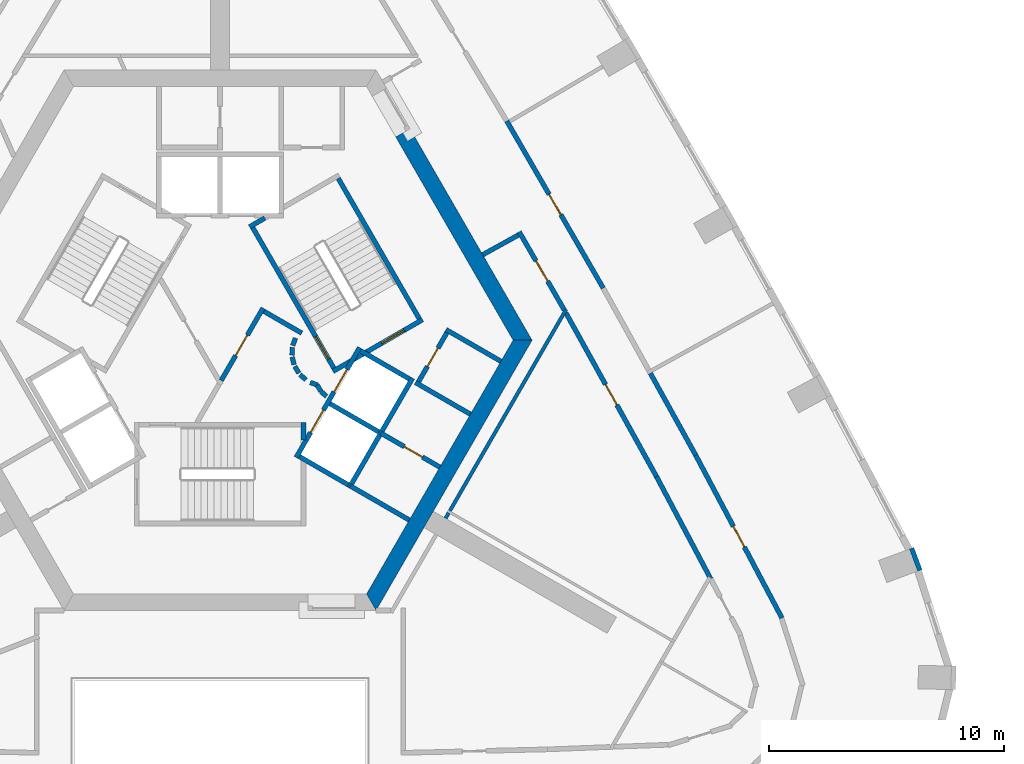
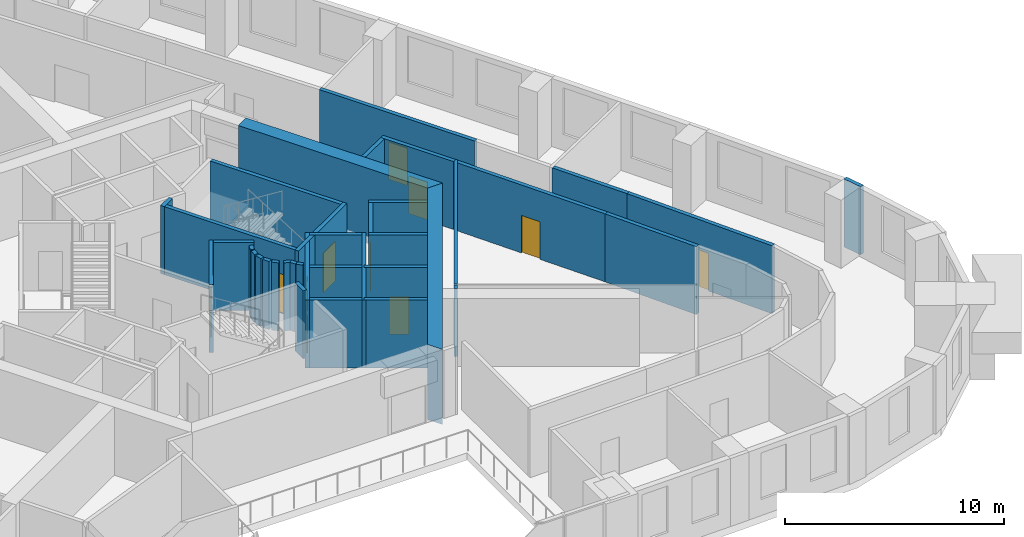
# One storey, part 7 of 13: 37 walls, 11 doors, 11 openings.
"""IFC4 building model written with IfcOpenShell, lengths in metres."""

from ifc_helpers import new_model, si_unit, direction, frame, frame_2d, origin, place, context, subcontext, project, spatial, polyline, rectangle, outline, extrude, material, layer, layer_set, type_object, element, fill, save


model = new_model("IFC4")

# Units and contexts
model_context = context("Model", 3, precision=1e-05, world=origin(), true_north=direction((0.0, 1.0)))
body_context = subcontext(model_context, "Body", "Model", "MODEL_VIEW")
ifc_project = project(units=[si_unit("LENGTHUNIT", "METRE"), si_unit("AREAUNIT", "SQUARE_METRE"), si_unit("VOLUMEUNIT", "CUBIC_METRE"), si_unit("PLANEANGLEUNIT", "RADIAN"), si_unit("MASSUNIT", "GRAM", prefix="KILO")], contexts=[model_context])

# Site, building, storey
site_placement = place(None, origin())
site = spatial("IfcSite", under=ifc_project, at=site_placement, CompositionType="ELEMENT")
building_placement = place(site_placement, origin())
building = spatial("IfcBuilding", under=site, at=building_placement, Name="Entoto Arch Interchange Tower", CompositionType="ELEMENT")
storey_placement = place(building_placement, frame((0.0, 0.0, 223.39990234375)))
storey = spatial("IfcBuildingStorey", under=building, at=storey_placement, Name="L50", CompositionType="ELEMENT", Elevation=223.39990234375)

# Walls
ifc_material_1 = material(Name="Concrete C50/60", Category="concrete")
ifc_layer_1 = layer(ifc_material_1, 0.699951171875)
ifc_layer_set_1 = layer_set([ifc_layer_1], Name="Concrete C50/60")
wall_type_1 = type_object("IfcWallType", Name="Core wall 700 C50/60", PredefinedType="SHEAR", material=ifc_layer_set_1)
wall_1_placement = place(storey_placement, frame((0.0, 0.0, -0.39990234375)))
element("IfcWall", 1, at=wall_1_placement, inside=storey, type_object=wall_type_1, Name="Core wall NE L50", PredefinedType="SHEAR", context=body_context, shape_type="SweptSolid", body=[
    extrude(outline(polyline([(8.083984375, 11.498046875), (7.47802734375, 11.14794921875), (12.470947265625, 2.5), (13.279052734375, 2.5), (8.083984375, 11.498046875)])), origin(), (0.0, 0.0, 1.0), 4.199951171875),
])
wall_2_placement = place(storey_placement, frame((0.0, 0.0, -0.39990234375)))
element("IfcWall", 2, at=wall_2_placement, inside=storey, type_object=wall_type_1, Name="Core wall SE L50", PredefinedType="SHEAR", context=body_context, shape_type="SweptSolid", body=[
    extrude(outline(polyline([(6.639892578125, -9.0), (13.279052734375, 2.5), (12.470947265625, 2.5), (6.235107421875, -8.300048828125), (6.639892578125, -9.0)])), origin(), (0.0, 0.0, 1.0), 4.199951171875),
])

# Wall, openings, doors
ifc_material_2 = material(Name="Concrete C40/50", Category="concrete")
ifc_layer_2 = layer(ifc_material_2, 0.199951171875)
ifc_layer_set_2 = layer_set([ifc_layer_2], Name="Concrete C40/50")
wall_type_2 = type_object("IfcWallType", Name="LIFT SHAFT WALL 200", PredefinedType="STANDARD", material=ifc_layer_set_2)
wall_3_placement = place(storey_placement, frame((3.239990234375, -2.488037109375, 0.0), z_axis=(0.0, 0.0, 1.0), x_axis=(0.500034260056, 0.866005622828, 0.0)))
wall_3 = element("IfcWall", 3, at=wall_3_placement, inside=storey, type_object=wall_type_2, Name="Shaft wall SE1 front", PredefinedType="STANDARD", context=body_context, shape_type="SweptSolid", body=[
    extrude(rectangle(XDim=5.3994140625, YDim=0.199951171875, at=frame_2d((2.69970703125, 0.0))), origin(), (0.0, 0.0, 1.0), 3.800048828125),
])
opening_1_placement = place(wall_3_placement, frame((3.22509765625, 0.0, 0.0)))
opening_1 = element("IfcOpeningElement", 4, at=opening_1_placement, cuts=wall_3, Name="Opening LD-HR3-L50", PredefinedType="OPENING", context=body_context, shape_type="SweptSolid", body=[
    extrude(rectangle(XDim=1.10009765625, YDim=2.10009765625, at=frame_2d((0.550048828125, 1.050048828125))), frame((0.0, 0.10986328125, 0.0), z_axis=(0.0, -1.0, 0.0), x_axis=(1.0, 0.0, 0.0)), (0.0, 0.0, 1.0), 0.219970703125),
])
opening_2_placement = place(wall_3_placement, frame((1.22509765625, 0.0, 0.0)))
opening_2 = element("IfcOpeningElement", 5, at=opening_2_placement, cuts=wall_3, Name="Opening LD-FF1-L50", PredefinedType="OPENING", context=body_context, shape_type="SweptSolid", body=[
    extrude(rectangle(XDim=1.10009765625, YDim=2.10009765625, at=frame_2d((0.550048828125, 1.050048828125))), frame((0.0, 0.10986328125, 0.0), z_axis=(0.0, -1.0, 0.0), x_axis=(1.0, 0.0, 0.0)), (0.0, 0.0, 1.0), 0.219970703125),
])
ifc_material_3 = material(Name="Stainless steel 1.4301 panels", Category="steel")
door_type_1 = type_object("IfcDoorType", Name="LIFT LANDING DOOR LD1 1100x2100", OperationType="SLIDING_TO_LEFT", PredefinedType="DOOR", material=ifc_material_3)
door_1_placement = place(opening_1_placement, origin())
door_1 = element("IfcDoor", 6, at=door_1_placement, inside=storey, type_object=door_type_1, Name="Lift landing door HR3 L50", OperationType="SLIDING_TO_LEFT", OverallHeight=2.10009765625, OverallWidth=1.10009765625, PredefinedType="DOOR", context=body_context, shape_type="SweptSolid", body=[
    extrude(rectangle(XDim=1.10009765625, YDim=2.10009765625, at=frame_2d((0.550048828125, 1.050048828125))), frame((0.0, 0.02490234375, 0.0), z_axis=(0.0, -1.0, 0.0), x_axis=(1.0, 0.0, 0.0)), (0.0, 0.0, 1.0), 0.050048828125),
])
fill(opening_1, door_1)
door_2_placement = place(opening_2_placement, origin())
door_2 = element("IfcDoor", 7, at=door_2_placement, inside=storey, type_object=door_type_1, Name="Lift landing door FF1 L50", OperationType="SLIDING_TO_LEFT", OverallHeight=2.10009765625, OverallWidth=1.10009765625, PredefinedType="DOOR", context=body_context, shape_type="SweptSolid", body=[
    extrude(rectangle(XDim=1.10009765625, YDim=2.10009765625, at=frame_2d((0.550048828125, 1.050048828125))), frame((0.0, 0.02490234375, 0.0), z_axis=(0.0, -1.0, 0.0), x_axis=(1.0, 0.0, 0.0)), (0.0, 0.0, 1.0), 0.050048828125),
])
fill(opening_2, door_2)

# Walls
wall_4_placement = place(storey_placement, frame((5.491943359375, -3.7880859375, 0.0), z_axis=(0.0, 0.0, 1.0), x_axis=(0.500034260056, 0.866005622828, 0.0)))
element("IfcWall", 8, at=wall_4_placement, inside=storey, type_object=wall_type_2, Name="Shaft wall SE1 back", PredefinedType="STANDARD", context=body_context, shape_type="SweptSolid", body=[
    extrude(rectangle(XDim=5.3994140625, YDim=0.199951171875, at=frame_2d((2.69970703125, 0.0))), origin(), (0.0, 0.0, 1.0), 3.800048828125),
])
wall_5_placement = place(storey_placement, frame((3.376953125, -2.451904296875, 0.0), z_axis=(0.0, 0.0, 1.0), x_axis=(0.865955154139, -0.50012165622, 0.0)))
element("IfcWall", 9, at=wall_5_placement, inside=storey, type_object=wall_type_2, Name="Shaft wall SE1 cross 1", PredefinedType="STANDARD", context=body_context, shape_type="SweptSolid", body=[
    extrude(rectangle(XDim=2.39990234375, YDim=0.199951171875, at=frame_2d((1.199951171875, 0.0))), origin(), (0.0, 0.0, 1.0), 3.800048828125),
])
for number, where, z_axis, x_axis, name in (
    (10, (4.677001953125, -0.199951171875, 0.0), (0.0, 0.0, 1.0), (0.865973769406, -0.500089422704, 0.0), "Shaft wall SE1 cross 2"),
    (11, (5.97705078125, 2.052001953125, 0.0), (0.0, 0.0, 1.0), (0.865973769406, -0.500089422704, 0.0), "Shaft wall SE1 cross 3"),
):
    element("IfcWall", number, at=place(storey_placement, frame(where, z_axis=z_axis, x_axis=x_axis)), inside=storey, type_object=wall_type_2, Name=name, PredefinedType="STANDARD", context=body_context, shape_type="SweptSolid", body=[
        extrude(rectangle(XDim=2.3994140625, YDim=0.199951171875, at=frame_2d((1.19970703125, 0.0))), origin(), (0.0, 0.0, 1.0), 3.800048828125),
    ])
ifc_material_4 = material(Name="Gypsum board partition on steel studs", Category="steel")
ifc_layer_3 = layer(ifc_material_4, 0.14990234375)
ifc_layer_set_3 = layer_set([ifc_layer_3], Name="Gypsum board partition on steel studs")
wall_type_3 = type_object("IfcWallType", Name="PARTITION 150", PredefinedType="PARTITIONING", material=ifc_layer_set_3)
wall_6_placement = place(storey_placement, frame((9.779052734375, -4.761962890625, 0.0), z_axis=(0.0, 0.0, 1.0), x_axis=(0.499990552429, 0.866030858274, 0.0)))
element("IfcWall", 12, at=wall_6_placement, inside=storey, type_object=wall_type_3, Name="wall:L50:p088", PredefinedType="PARTITIONING", context=body_context, shape_type="SweptSolid", body=[
    extrude(rectangle(XDim=9.906005859375, YDim=0.14990234375, at=frame_2d((4.953125, 0.0))), origin(), (0.0, 0.0, 1.0), 3.800048828125),
])
wall_7_placement = place(storey_placement, frame((9.595947265625, -5.0791015625, 0.0), z_axis=(0.0, 0.0, 1.0), x_axis=(0.500782702656, 0.865573038351, 0.0)))
element("IfcWall", 13, at=wall_7_placement, inside=storey, type_object=wall_type_3, Name="wall:L50:p087", PredefinedType="PARTITIONING", context=body_context, shape_type="SweptSolid", body=[
    extrude(rectangle(XDim=0.265625, YDim=0.14990234375, at=frame_2d((0.1328125, 0.0))), origin(), (0.0, 0.0, 1.0), 3.800048828125),
])

# Wall, opening, door
ifc_layer_4 = layer(ifc_material_4, 0.199951171875)
ifc_layer_set_4 = layer_set([ifc_layer_4], Name="Gypsum board partition on steel studs")
wall_type_4 = type_object("IfcWallType", Name="PARTITION 200", PredefinedType="PARTITIONING", material=ifc_layer_set_4)
wall_8_placement = place(storey_placement, frame((14.652099609375, 3.782958984375, 0.0), z_axis=(0.0, 0.0, 1.0), x_axis=(-0.499821427992, 0.866128477837, 0.0)))
wall_8 = element("IfcWall", 14, at=wall_8_placement, inside=storey, type_object=wall_type_4, Name="wall:L50:p004", PredefinedType="PARTITIONING", context=body_context, shape_type="SweptSolid", body=[
    extrude(rectangle(XDim=3.84375, YDim=0.199951171875, at=frame_2d((1.921875, 0.0))), origin(), (0.0, 0.0, 1.0), 3.800048828125),
])
opening_3_placement = place(wall_8_placement, frame((1.4208984375, 0.0, 0.0)))
opening_3 = element("IfcOpeningElement", 15, at=opening_3_placement, cuts=wall_8, Name="Opening L50-D27", PredefinedType="OPENING", context=body_context, shape_type="SweptSolid", body=[
    extrude(rectangle(XDim=1.0, YDim=2.10009765625, at=frame_2d((0.5, 1.050048828125))), frame((0.0, 0.10986328125, 0.0), z_axis=(0.0, -1.0, 0.0), x_axis=(1.0, 0.0, 0.0)), (0.0, 0.0, 1.0), 0.219970703125),
])
ifc_material_5 = material(Name="Timber door leaf in Steel S235 frame", Category="steel")
door_type_2 = type_object("IfcDoorType", Name="DOOR DS-10 1000x2100", OperationType="SINGLE_SWING_LEFT", PredefinedType="DOOR", material=ifc_material_5)
door_3_placement = place(opening_3_placement, origin())
door_3 = element("IfcDoor", 16, at=door_3_placement, inside=storey, type_object=door_type_2, Name="door:L50:27", OperationType="SINGLE_SWING_LEFT", OverallHeight=2.10009765625, OverallWidth=1.0, PredefinedType="DOOR", context=body_context, shape_type="SweptSolid", body=[
    extrude(rectangle(XDim=1.0, YDim=2.10009765625, at=frame_2d((0.5, 1.050048828125))), frame((0.0, 0.02490234375, 0.0), z_axis=(0.0, -1.0, 0.0), x_axis=(1.0, 0.0, 0.0)), (0.0, 0.0, 1.0), 0.050048828125),
])
fill(opening_3, door_3)

# Walls
wall_9_placement = place(storey_placement, frame((12.693115234375, 6.97607421875, 0.0), z_axis=(0.0, 0.0, 1.0), x_axis=(-0.874908151187, -0.484288887944, 0.0)))
element("IfcWall", 17, at=wall_9_placement, inside=storey, type_object=wall_type_4, Name="wall:L50:p005", PredefinedType="PARTITIONING", context=body_context, shape_type="SweptSolid", body=[
    extrude(rectangle(XDim=1.730712890625, YDim=0.199951171875, at=frame_2d((0.865234375, 0.0))), origin(), (0.0, 0.0, 1.0), 3.800048828125),
])
wall_10_placement = place(storey_placement, frame((20.882080078125, -7.658935546875, 0.0), z_axis=(0.0, 0.0, 1.0), x_axis=(-0.468206254133, 0.883619207346, 0.0)))
element("IfcWall", 18, at=wall_10_placement, inside=storey, type_object=wall_type_4, Name="wall:L50:p016", PredefinedType="PARTITIONING", context=body_context, shape_type="SweptSolid", body=[
    extrude(rectangle(XDim=4.9296875, YDim=0.199951171875, at=frame_2d((2.46484375, 0.0))), origin(), (0.0, 0.0, 1.0), 3.800048828125),
])

# Wall, opening, door
wall_11_placement = place(storey_placement, frame((18.573974609375, -3.302978515625, 0.0), z_axis=(0.0, 0.0, 1.0), x_axis=(-0.484239190765, 0.874935658279, 0.0)))
wall_11 = element("IfcWall", 19, at=wall_11_placement, inside=storey, type_object=wall_type_4, Name="wall:L50:p017", PredefinedType="PARTITIONING", context=body_context, shape_type="SweptSolid", body=[
    extrude(rectangle(XDim=7.962890625, YDim=0.199951171875, at=frame_2d((3.9814453125, 0.0))), origin(), (0.0, 0.0, 1.0), 3.800048828125),
])
opening_4_placement = place(wall_11_placement, frame((3.48193359375, 0.0, 0.0)))
opening_4 = element("IfcOpeningElement", 20, at=opening_4_placement, cuts=wall_11, Name="Opening L50-D17", PredefinedType="OPENING", context=body_context, shape_type="SweptSolid", body=[
    extrude(rectangle(XDim=1.0, YDim=2.10009765625, at=frame_2d((0.5, 1.050048828125))), frame((0.0, 0.10986328125, 0.0), z_axis=(0.0, -1.0, 0.0), x_axis=(1.0, 0.0, 0.0)), (0.0, 0.0, 1.0), 0.219970703125),
])
door_4_placement = place(opening_4_placement, origin())
door_4 = element("IfcDoor", 21, at=door_4_placement, inside=storey, type_object=door_type_2, Name="door:L50:17", OperationType="SINGLE_SWING_LEFT", OverallHeight=2.10009765625, OverallWidth=1.0, PredefinedType="DOOR", context=body_context, shape_type="SweptSolid", body=[
    extrude(rectangle(XDim=1.0, YDim=2.10009765625, at=frame_2d((0.5, 1.050048828125))), frame((0.0, 0.02490234375, 0.0), z_axis=(0.0, -1.0, 0.0), x_axis=(1.0, 0.0, 0.0)), (0.0, 0.0, 1.0), 0.050048828125),
])
fill(opening_4, door_4)

# Wall
wall_12_placement = place(storey_placement, frame((18.31201171875, 1.093994140625, 0.0), z_axis=(0.0, 0.0, 1.0), x_axis=(0.484328424129, -0.874886265511, 0.0)))
element("IfcWall", 22, at=wall_12_placement, inside=storey, type_object=wall_type_4, Name="wall:L50:p037", PredefinedType="PARTITIONING", context=body_context, shape_type="SweptSolid", body=[
    extrude(rectangle(XDim=3.9912109375, YDim=0.199951171875, at=frame_2d((1.99560546875, 0.0))), origin(), (0.0, 0.0, 1.0), 3.800048828125),
])

# Wall, opening, door
wall_13_placement = place(storey_placement, frame((20.2451171875, -2.39794921875, 0.0), z_axis=(0.0, 0.0, 1.0), x_axis=(0.468063775621, -0.883694688199, 0.0)))
wall_13 = element("IfcWall", 23, at=wall_13_placement, inside=storey, type_object=wall_type_4, Name="wall:L50:p038", PredefinedType="PARTITIONING", context=body_context, shape_type="SweptSolid", body=[
    extrude(rectangle(XDim=7.83642578125, YDim=0.199951171875, at=frame_2d((3.918212890625, 0.0))), origin(), (0.0, 0.0, 1.0), 3.800048828125),
])
opening_5_placement = place(wall_13_placement, frame((3.41796875, 0.0, 0.0)))
opening_5 = element("IfcOpeningElement", 24, at=opening_5_placement, cuts=wall_13, Name="Opening L50-D03", PredefinedType="OPENING", context=body_context, shape_type="SweptSolid", body=[
    extrude(rectangle(XDim=1.0, YDim=2.10009765625, at=frame_2d((0.5, 1.050048828125))), frame((0.0, 0.10986328125, 0.0), z_axis=(0.0, -1.0, 0.0), x_axis=(1.0, 0.0, 0.0)), (0.0, 0.0, 1.0), 0.219970703125),
])
door_5_placement = place(opening_5_placement, origin())
door_5 = element("IfcDoor", 25, at=door_5_placement, inside=storey, type_object=door_type_2, Name="door:L50:03", OperationType="SINGLE_SWING_LEFT", OverallHeight=2.10009765625, OverallWidth=1.0, PredefinedType="DOOR", context=body_context, shape_type="SweptSolid", body=[
    extrude(rectangle(XDim=1.0, YDim=2.10009765625, at=frame_2d((0.5, 1.050048828125))), frame((0.0, 0.02490234375, 0.0), z_axis=(0.0, -1.0, 0.0), x_axis=(1.0, 0.0, 0.0)), (0.0, 0.0, 1.0), 0.050048828125),
])
fill(opening_5, door_5)

wall_14_placement = place(storey_placement, frame((12.201904296875, 11.827880859375, 0.0), z_axis=(0.0, 0.0, 1.0), x_axis=(0.499919823193, -0.866071688937, 0.0)))
wall_14 = element("IfcWall", 26, at=wall_14_placement, inside=storey, type_object=wall_type_4, Name="wall:L50:p043", PredefinedType="PARTITIONING", context=body_context, shape_type="SweptSolid", body=[
    extrude(rectangle(XDim=8.209228515625, YDim=0.199951171875, at=frame_2d((4.1044921875, 0.0))), origin(), (0.0, 0.0, 1.0), 3.800048828125),
])
opening_6_placement = place(wall_14_placement, frame((3.60400390625, 0.0, 0.0)))
opening_6 = element("IfcOpeningElement", 27, at=opening_6_placement, cuts=wall_14, Name="Opening L50-D04", PredefinedType="OPENING", context=body_context, shape_type="SweptSolid", body=[
    extrude(rectangle(XDim=1.0, YDim=2.10009765625, at=frame_2d((0.5, 1.050048828125))), frame((0.0, 0.10986328125, 0.0), z_axis=(0.0, -1.0, 0.0), x_axis=(1.0, 0.0, 0.0)), (0.0, 0.0, 1.0), 0.219970703125),
])
door_6_placement = place(opening_6_placement, origin())
door_6 = element("IfcDoor", 28, at=door_6_placement, inside=storey, type_object=door_type_2, Name="door:L50:04", OperationType="SINGLE_SWING_RIGHT", OverallHeight=2.10009765625, OverallWidth=1.0, PredefinedType="DOOR", context=body_context, shape_type="SweptSolid", body=[
    extrude(rectangle(XDim=1.0, YDim=2.10009765625, at=frame_2d((0.5, 1.050048828125))), frame((0.0, 0.02490234375, 0.0), z_axis=(0.0, -1.0, 0.0), x_axis=(1.0, 0.0, 0.0)), (0.0, 0.0, 1.0), 0.050048828125),
])
fill(opening_6, door_6)

# Wall
wall_15_placement = place(storey_placement, frame((8.052978515625, -5.152099609375, 0.0), z_axis=(0.0, 0.0, 1.0), x_axis=(-0.865808344015, 0.500375770231, 0.0)))
element("IfcWall", 29, at=wall_15_placement, inside=storey, type_object=wall_type_4, Name="wall:L50:p073", PredefinedType="PARTITIONING", context=body_context, shape_type="SweptSolid", body=[
    extrude(rectangle(XDim=2.900146484375, YDim=0.199951171875, at=frame_2d((1.4501953125, 0.0))), origin(), (0.0, 0.0, 1.0), 3.800048828125),
])

# Wall, opening, door
wall_16_placement = place(storey_placement, frame((6.841064453125, -1.450927734375, 0.0), z_axis=(0.0, 0.0, 1.0), x_axis=(0.866220623736, -0.499661716578, 0.0)))
wall_16 = element("IfcWall", 30, at=wall_16_placement, inside=storey, type_object=wall_type_4, Name="wall:L50:p074", PredefinedType="PARTITIONING", context=body_context, shape_type="SweptSolid", body=[
    extrude(rectangle(XDim=2.89990234375, YDim=0.199951171875, at=frame_2d((1.449951171875, 0.0))), origin(), (0.0, 0.0, 1.0), 3.800048828125),
])
opening_7_placement = place(wall_16_placement, frame((1.14990234375, 0.0, 0.0)))
opening_7 = element("IfcOpeningElement", 31, at=opening_7_placement, cuts=wall_16, Name="Opening L50-D32", PredefinedType="OPENING", context=body_context, shape_type="SweptSolid", body=[
    extrude(rectangle(XDim=0.89990234375, YDim=2.10009765625, at=frame_2d((0.449951171875, 1.050048828125))), frame((0.0, 0.10986328125, 0.0), z_axis=(0.0, -1.0, 0.0), x_axis=(1.0, 0.0, 0.0)), (0.0, 0.0, 1.0), 0.219970703125),
])
door_type_3 = type_object("IfcDoorType", Name="DOOR DS-09 900x2100", OperationType="SINGLE_SWING_LEFT", PredefinedType="DOOR", material=ifc_material_5)
door_7_placement = place(opening_7_placement, origin())
door_7 = element("IfcDoor", 32, at=door_7_placement, inside=storey, type_object=door_type_3, Name="door:L50:32", OperationType="SINGLE_SWING_LEFT", OverallHeight=2.10009765625, OverallWidth=0.89990234375, PredefinedType="DOOR", context=body_context, shape_type="SweptSolid", body=[
    extrude(rectangle(XDim=0.89990234375, YDim=2.10009765625, at=frame_2d((0.449951171875, 1.050048828125))), frame((0.0, 0.02490234375, 0.0), z_axis=(0.0, -1.0, 0.0), x_axis=(1.0, 0.0, 0.0)), (0.0, 0.0, 1.0), 0.050048828125),
])
fill(opening_7, door_7)

# Wall
wall_17_placement = place(storey_placement, frame((10.653076171875, -0.64794921875, 0.0), z_axis=(0.0, 0.0, 1.0), x_axis=(-0.866036505625, 0.499980770555, 0.0)))
element("IfcWall", 33, at=wall_17_placement, inside=storey, type_object=wall_type_4, Name="wall:L50:p075", PredefinedType="PARTITIONING", context=body_context, shape_type="SweptSolid", body=[
    extrude(rectangle(XDim=2.69970703125, YDim=0.199951171875, at=frame_2d((1.349853515625, 0.0))), origin(), (0.0, 0.0, 1.0), 3.800048828125),
])

# Wall, opening, door
wall_18_placement = place(storey_placement, frame((8.450927734375, 0.738037109375, 0.0), z_axis=(0.0, 0.0, 1.0), x_axis=(0.499913221443, 0.866075499611, 0.0)))
wall_18 = element("IfcWall", 34, at=wall_18_placement, inside=storey, type_object=wall_type_4, Name="wall:L50:p076", PredefinedType="PARTITIONING", context=body_context, shape_type="SweptSolid", body=[
    extrude(rectangle(XDim=2.400390625, YDim=0.199951171875, at=frame_2d((1.2001953125, 0.0))), origin(), (0.0, 0.0, 1.0), 3.800048828125),
])
opening_8_placement = place(wall_18_placement, frame((0.75, 0.0, 0.0)))
opening_8 = element("IfcOpeningElement", 35, at=opening_8_placement, cuts=wall_18, Name="Opening L50-D33", PredefinedType="OPENING", context=body_context, shape_type="SweptSolid", body=[
    extrude(rectangle(XDim=0.89990234375, YDim=2.10009765625, at=frame_2d((0.449951171875, 1.050048828125))), frame((0.0, 0.10986328125, 0.0), z_axis=(0.0, -1.0, 0.0), x_axis=(1.0, 0.0, 0.0)), (0.0, 0.0, 1.0), 0.219970703125),
])
door_8_placement = place(opening_8_placement, origin())
door_8 = element("IfcDoor", 36, at=door_8_placement, inside=storey, type_object=door_type_3, Name="door:L50:33", OperationType="SINGLE_SWING_LEFT", OverallHeight=2.10009765625, OverallWidth=0.89990234375, PredefinedType="DOOR", context=body_context, shape_type="SweptSolid", body=[
    extrude(rectangle(XDim=0.89990234375, YDim=2.10009765625, at=frame_2d((0.449951171875, 1.050048828125))), frame((0.0, 0.02490234375, 0.0), z_axis=(0.0, -1.0, 0.0), x_axis=(1.0, 0.0, 0.0)), (0.0, 0.0, 1.0), 0.050048828125),
])
fill(opening_8, door_8)

# Wall
wall_19_placement = place(storey_placement, frame((9.614990234375, 2.952880859375, 0.0), z_axis=(0.0, 0.0, 1.0), x_axis=(0.866013897511, -0.50001992892, 0.0)))
element("IfcWall", 37, at=wall_19_placement, inside=storey, type_object=wall_type_4, Name="wall:L50:p077", PredefinedType="PARTITIONING", context=body_context, shape_type="SweptSolid", body=[
    extrude(rectangle(XDim=2.69970703125, YDim=0.199951171875, at=frame_2d((1.349853515625, 0.0))), origin(), (0.0, 0.0, 1.0), 3.800048828125),
])

# Wall, opening, door
wall_20_placement = place(storey_placement, frame((0.050048828125, 0.787109375, 0.0), z_axis=(0.0, 0.0, 1.0), x_axis=(0.499954076797, 0.866051915934, 0.0)))
wall_20 = element("IfcWall", 38, at=wall_20_placement, inside=storey, type_object=wall_type_4, Name="wall:L50:p090", PredefinedType="PARTITIONING", context=body_context, shape_type="SweptSolid", body=[
    extrude(rectangle(XDim=3.558349609375, YDim=0.199951171875, at=frame_2d((1.779296875, 0.0))), origin(), (0.0, 0.0, 1.0), 3.800048828125),
])
opening_9_placement = place(wall_20_placement, frame((1.22900390625, 0.0, 0.0)))
opening_9 = element("IfcOpeningElement", 39, at=opening_9_placement, cuts=wall_20, Name="Opening L50-D28", PredefinedType="OPENING", context=body_context, shape_type="SweptSolid", body=[
    extrude(rectangle(XDim=1.0, YDim=2.10009765625, at=frame_2d((0.5, 1.050048828125))), frame((0.0, 0.10986328125, 0.0), z_axis=(0.0, -1.0, 0.0), x_axis=(1.0, 0.0, 0.0)), (0.0, 0.0, 1.0), 0.219970703125),
])
ifc_material_6 = material(Name="Fire-rated Steel S235 door and frame", Category="steel")
door_type_4 = type_object("IfcDoorType", Name="DOOR FD-10 1000x2100", OperationType="SINGLE_SWING_LEFT", PredefinedType="DOOR", material=ifc_material_6)
door_9_placement = place(opening_9_placement, origin())
door_9 = element("IfcDoor", 40, at=door_9_placement, inside=storey, type_object=door_type_4, Name="door:L50:28", OperationType="SINGLE_SWING_RIGHT", OverallHeight=2.10009765625, OverallWidth=1.0, PredefinedType="DOOR", context=body_context, shape_type="SweptSolid", body=[
    extrude(rectangle(XDim=1.0, YDim=2.10009765625, at=frame_2d((0.5, 1.050048828125))), frame((0.0, 0.02490234375, 0.0), z_axis=(0.0, -1.0, 0.0), x_axis=(1.0, 0.0, 0.0)), (0.0, 0.0, 1.0), 0.050048828125),
])
fill(opening_9, door_9)

# Walls
wall_21_placement = place(storey_placement, frame((1.865966796875, 3.73193359375, 0.0), z_axis=(0.0, 0.0, 1.0), x_axis=(0.866043361281, -0.499968895414, 0.0)))
element("IfcWall", 41, at=wall_21_placement, inside=storey, type_object=wall_type_4, Name="wall:L50:p091", PredefinedType="PARTITIONING", context=body_context, shape_type="SweptSolid", body=[
    extrude(rectangle(XDim=1.85791015625, YDim=0.199951171875, at=frame_2d((0.928955078125, 0.0))), origin(), (0.0, 0.0, 1.0), 3.800048828125),
])
wall_22_placement = place(storey_placement, frame((3.2080078125, 2.592041015625, 0.0), z_axis=(0.0, 0.0, 1.0), x_axis=(-0.337388820924, -0.941365382578, 0.0)))
element("IfcWall", 42, at=wall_22_placement, inside=storey, type_object=wall_type_4, Name="wall:L50:p092", PredefinedType="PARTITIONING", context=body_context, shape_type="SweptSolid", body=[
    extrude(rectangle(XDim=0.337890625, YDim=0.199951171875, at=frame_2d((0.1689453125, 0.0))), origin(), (0.0, 0.0, 1.0), 3.800048828125),
])
wall_23_placement = place(storey_placement, frame((3.0791015625, 2.198974609375, 0.0), z_axis=(0.0, 0.0, 1.0), x_axis=(-0.047771483479, -0.998858290933, 0.0)))
element("IfcWall", 43, at=wall_23_placement, inside=storey, type_object=wall_type_4, Name="wall:L50:p093", PredefinedType="PARTITIONING", context=body_context, shape_type="SweptSolid", body=[
    extrude(rectangle(XDim=0.33740234375, YDim=0.199951171875, at=frame_2d((0.168701171875, 0.0))), origin(), (0.0, 0.0, 1.0), 3.800048828125),
])
wall_24_placement = place(storey_placement, frame((3.070068359375, 1.785888671875, 0.0), z_axis=(0.0, 0.0, 1.0), x_axis=(0.242705583207, -0.970099994784, 0.0)))
element("IfcWall", 44, at=wall_24_placement, inside=storey, type_object=wall_type_4, Name="wall:L50:p094", PredefinedType="PARTITIONING", context=body_context, shape_type="SweptSolid", body=[
    extrude(rectangle(XDim=0.337890625, YDim=0.199951171875, at=frame_2d((0.1689453125, 0.0))), origin(), (0.0, 0.0, 1.0), 3.800048828125),
])
for number, where, z_axis, x_axis, name in (
    (45, (3.181884765625, 1.387939453125, 0.0), (0.0, 0.0, 1.0), (0.512474702713, -0.85870232274, 0.0), "wall:L50:p095"),
    (46, (3.404052734375, 1.0390625, 0.0), (0.0, 0.0, 1.0), (0.740267097712, -0.672312891476, 0.0), "wall:L50:p096"),
):
    element("IfcWall", number, at=place(storey_placement, frame(where, z_axis=z_axis, x_axis=x_axis)), inside=storey, type_object=wall_type_4, Name=name, PredefinedType="PARTITIONING", context=body_context, shape_type="SweptSolid", body=[
        extrude(rectangle(XDim=0.337646484375, YDim=0.199951171875, at=frame_2d((0.1689453125, 0.0))), origin(), (0.0, 0.0, 1.0), 3.800048828125),
    ])
wall_25_placement = place(storey_placement, frame((3.837890625, 0.701904296875, 0.0), z_axis=(0.0, 0.0, 1.0), x_axis=(0.941035081519, -0.338308993895, 0.0)))
element("IfcWall", 47, at=wall_25_placement, inside=storey, type_object=wall_type_4, Name="wall:L50:p097", PredefinedType="PARTITIONING", context=body_context, shape_type="SweptSolid", body=[
    extrude(rectangle(XDim=0.3369140625, YDim=0.199951171875, at=frame_2d((0.16845703125, 0.0))), origin(), (0.0, 0.0, 1.0), 3.800048828125),
])
wall_26_placement = place(storey_placement, frame((4.132080078125, 0.593017578125, 0.0), z_axis=(0.0, 0.0, 1.0), x_axis=(0.513561617048, -0.858052717201, 0.0)))
element("IfcWall", 48, at=wall_26_placement, inside=storey, type_object=wall_type_4, Name="wall:L50:p098", PredefinedType="PARTITIONING", context=body_context, shape_type="SweptSolid", body=[
    extrude(rectangle(XDim=0.3076171875, YDim=0.199951171875, at=frame_2d((0.15380859375, 0.0))), origin(), (0.0, 0.0, 1.0), 3.800048828125),
])
wall_27_placement = place(storey_placement, frame((4.301025390625, 0.31494140625, 0.0), z_axis=(0.0, 0.0, 1.0), x_axis=(0.741798017506, -0.670623367639, 0.0)))
element("IfcWall", 49, at=wall_27_placement, inside=storey, type_object=wall_type_4, Name="wall:L50:p099", PredefinedType="PARTITIONING", context=body_context, shape_type="SweptSolid", body=[
    extrude(rectangle(XDim=0.30859375, YDim=0.199951171875, at=frame_2d((0.154296875, 0.0))), origin(), (0.0, 0.0, 1.0), 3.800048828125),
])
ifc_layer_5 = layer(ifc_material_2, 0.199951171875)
ifc_layer_set_5 = layer_set([ifc_layer_5], Name="Concrete C40/50")
wall_type_5 = type_object("IfcWallType", Name="STAIR ENCLOSURE WALL 200", PredefinedType="STANDARD", material=ifc_layer_set_5)
wall_28_placement = place(storey_placement, frame((3.550048828125, -1.0, 0.0), z_axis=(0.0, 0.0, 1.0), x_axis=(0.0, -1.0, 0.0)))
element("IfcWall", 50, at=wall_28_placement, inside=storey, type_object=wall_type_5, Name="Stair wall ST-S far return", PredefinedType="STANDARD", context=body_context, shape_type="SweptSolid", body=[
    extrude(rectangle(XDim=0.7509765625, YDim=0.199951171875, at=frame_2d((0.37548828125, 0.0))), origin(), (0.0, 0.0, 1.0), 3.800048828125),
])

# Wall, opening, door
wall_29_placement = place(storey_placement, frame((4.805908203125, 1.176025390625, 0.0), z_axis=(0.0, 0.0, 1.0), x_axis=(0.866059941101, 0.499940174841, 0.0)))
wall_29 = element("IfcWall", 51, at=wall_29_placement, inside=storey, type_object=wall_type_5, Name="Stair wall ST-NE near", PredefinedType="STANDARD", context=body_context, shape_type="SweptSolid", body=[
    extrude(rectangle(XDim=4.400390625, YDim=0.199951171875, at=frame_2d((2.2001953125, 0.0))), origin(), (0.0, 0.0, 1.0), 3.800048828125),
])
opening_10_placement = place(wall_29_placement, frame((2.39990234375, 0.0, 0.0)))
opening_10 = element("IfcOpeningElement", 52, at=opening_10_placement, cuts=wall_29, Name="Opening SD-ST-NE-L50-E", PredefinedType="OPENING", context=body_context, shape_type="SweptSolid", body=[
    extrude(rectangle(XDim=1.10009765625, YDim=2.199951171875, at=frame_2d((0.550048828125, 1.10009765625))), frame((0.0, 0.10986328125, 0.0), z_axis=(0.0, -1.0, 0.0), x_axis=(1.0, 0.0, 0.0)), (0.0, 0.0, 1.0), 0.219970703125),
])
ifc_material_7 = material(Name="Steel S235", Category="steel")
door_type_5 = type_object("IfcDoorType", Name="STAIR DOOR SD1 1100x2200", OperationType="SINGLE_SWING_LEFT", PredefinedType="DOOR", material=ifc_material_7)
door_10_placement = place(opening_10_placement, origin())
door_10 = element("IfcDoor", 53, at=door_10_placement, inside=storey, type_object=door_type_5, Name="Stair door ST-NE L50 end", OperationType="SINGLE_SWING_LEFT", OverallHeight=2.199951171875, OverallWidth=1.10009765625, PredefinedType="DOOR", context=body_context, shape_type="SweptSolid", body=[
    extrude(rectangle(XDim=1.10009765625, YDim=2.199951171875, at=frame_2d((0.550048828125, 1.10009765625))), frame((0.0, 0.02490234375, 0.0), z_axis=(0.0, -1.0, 0.0), x_axis=(1.0, 0.0, 0.0)), (0.0, 0.0, 1.0), 0.050048828125),
])
fill(opening_10, door_10)

# Wall
wall_30_placement = place(storey_placement, frame((1.256103515625, 7.323974609375, 0.0), z_axis=(0.0, 0.0, 1.0), x_axis=(0.865915093549, 0.500191014278, 0.0)))
element("IfcWall", 54, at=wall_30_placement, inside=storey, type_object=wall_type_5, Name="Stair wall ST-NE far return", PredefinedType="STANDARD", context=body_context, shape_type="SweptSolid", body=[
    extrude(rectangle(XDim=0.751708984375, YDim=0.199951171875, at=frame_2d((0.3759765625, 0.0))), origin(), (0.0, 0.0, 1.0), 3.800048828125),
])

# Wall, opening, door
wall_31_placement = place(storey_placement, frame((4.843017578125, 1.31201171875, 0.0), z_axis=(0.0, 0.0, 1.0), x_axis=(-0.499963383562, 0.866046543262, 0.0)))
wall_31 = element("IfcWall", 55, at=wall_31_placement, inside=storey, type_object=wall_type_5, Name="Stair wall ST-NE hall", PredefinedType="STANDARD", context=body_context, shape_type="SweptSolid", body=[
    extrude(rectangle(XDim=6.900390625, YDim=0.199951171875, at=frame_2d((3.4501953125, 0.0))), origin(), (0.0, 0.0, 1.0), 3.800048828125),
])
opening_11_placement = place(wall_31_placement, frame((0.449951171875, 0.0, 0.0)))
opening_11 = element("IfcOpeningElement", 56, at=opening_11_placement, cuts=wall_31, Name="Opening SD-ST-NE-L50", PredefinedType="OPENING", context=body_context, shape_type="SweptSolid", body=[
    extrude(rectangle(XDim=1.10009765625, YDim=2.199951171875, at=frame_2d((0.550048828125, 1.10009765625))), frame((0.0, 0.10986328125, 0.0), z_axis=(0.0, -1.0, 0.0), x_axis=(1.0, 0.0, 0.0)), (0.0, 0.0, 1.0), 0.219970703125),
])
door_11_placement = place(opening_11_placement, origin())
door_11 = element("IfcDoor", 57, at=door_11_placement, inside=storey, type_object=door_type_5, Name="Stair door ST-NE L50", OperationType="SINGLE_SWING_LEFT", OverallHeight=2.199951171875, OverallWidth=1.10009765625, PredefinedType="DOOR", context=body_context, shape_type="SweptSolid", body=[
    extrude(rectangle(XDim=1.10009765625, YDim=2.199951171875, at=frame_2d((0.550048828125, 1.10009765625))), frame((0.0, 0.02490234375, 0.0), z_axis=(0.0, -1.0, 0.0), x_axis=(1.0, 0.0, 0.0)), (0.0, 0.0, 1.0), 0.050048828125),
])
fill(opening_11, door_11)

# Walls
wall_32_placement = place(storey_placement, frame((8.47998046875, 3.412109375, 0.0), z_axis=(0.0, 0.0, 1.0), x_axis=(-0.499978703459, 0.866037698999, 0.0)))
element("IfcWall", 58, at=wall_32_placement, inside=storey, type_object=wall_type_5, Name="Stair wall ST-NE back", PredefinedType="STANDARD", context=body_context, shape_type="SweptSolid", body=[
    extrude(rectangle(XDim=6.900146484375, YDim=0.199951171875, at=frame_2d((3.4501953125, 0.0))), origin(), (0.0, 0.0, 1.0), 3.800048828125),
])
ifc_material_8 = material(Name="Welded tuff (ignimbrite) cladding, warm buff", Category="masonry")
ifc_layer_6 = layer(ifc_material_8, 0.199951171875)
ifc_layer_set_6 = layer_set([ifc_layer_6], Name="Welded tuff (ignimbrite) cladding, warm buff")
wall_type_6 = type_object("IfcWallType", Name="STONE PIER CLADDING 200", PredefinedType="STANDARD", material=ifc_layer_set_6)
wall_33_placement = place(storey_placement, frame((29.780029296875, -7.2919921875, 0.0), z_axis=(0.0, 0.0, 1.0), x_axis=(-0.346892928577, 0.937904737222, 0.0)))
element("IfcWall", 59, at=wall_33_placement, inside=storey, type_object=wall_type_6, Name="Stone pier NE01 L50", PredefinedType="STANDARD", context=body_context, shape_type="SweptSolid", body=[
    extrude(rectangle(XDim=1.0, YDim=0.199951171875, at=frame_2d((0.5, 0.0))), origin(), (0.0, 0.0, 1.0), 3.800048828125),
])

save(model, "model.ifc")
